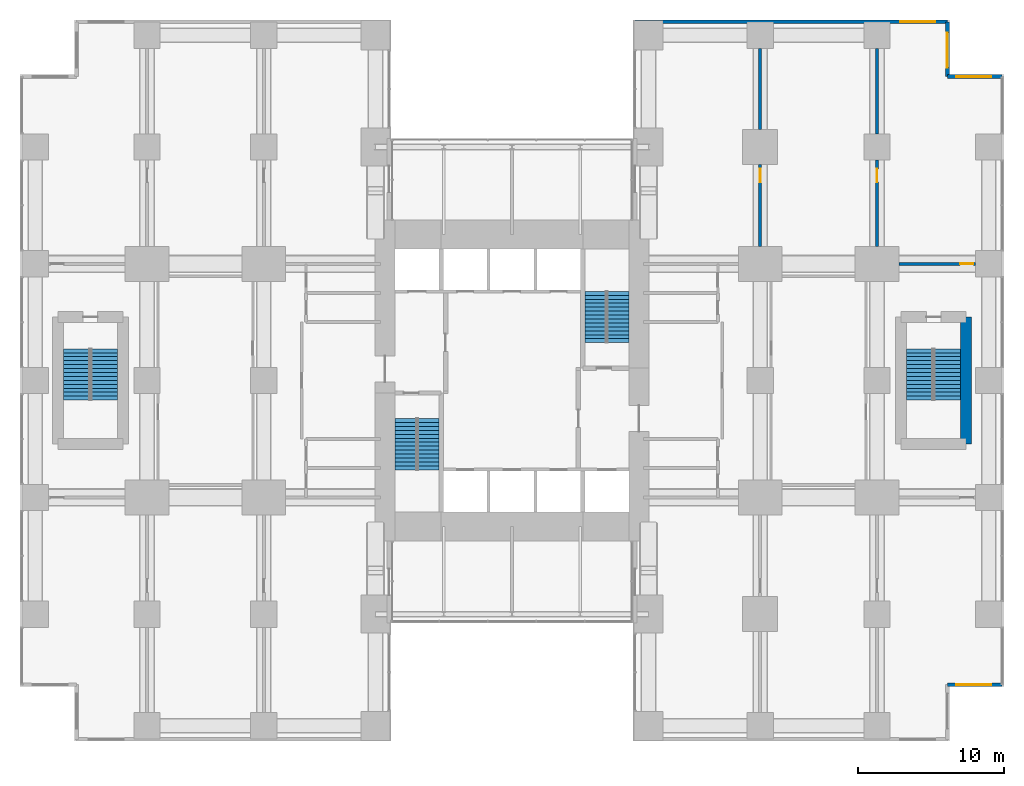
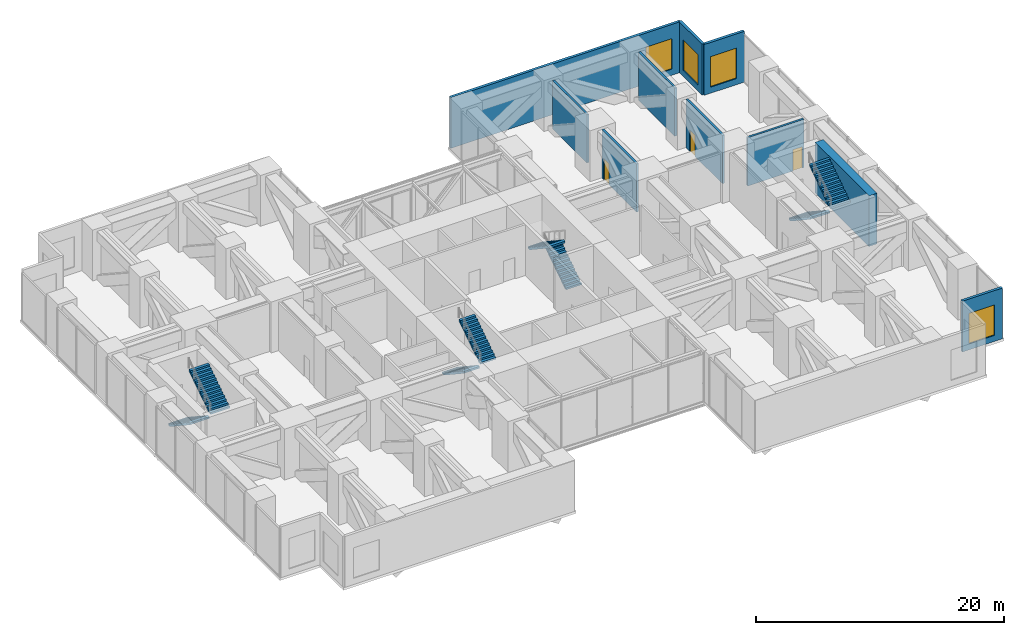
# One storey, part 18 of 19: 10 walls, 8 stair flights, 4 windows, 3 doors, 7 openings, 4 elements without a shape of their own.
"""IFC4 building model written with IfcOpenShell, lengths in metres."""

from ifc_helpers import new_model, si_unit, direction, frame, frame_2d, origin, place, context, subcontext, project, spatial, polyline, rectangle, outline, extrude, material, layer, layer_set, type_object, element, fill, aggregate, save


model = new_model("IFC4")

# Units and contexts
model_context = context("Model", 3, precision=1e-05, world=origin(), true_north=direction((0.0, 1.0)))
body_context = subcontext(model_context, "Body", "Model", "MODEL_VIEW")
ifc_project = project(units=[si_unit("LENGTHUNIT", "METRE"), si_unit("AREAUNIT", "SQUARE_METRE"), si_unit("VOLUMEUNIT", "CUBIC_METRE"), si_unit("PLANEANGLEUNIT", "RADIAN"), si_unit("MASSUNIT", "GRAM", prefix="KILO")], contexts=[model_context])

# Site, building, storey
site_placement = place(None, origin())
site = spatial("IfcSite", under=ifc_project, at=site_placement, CompositionType="ELEMENT")
building_placement = place(site_placement, origin())
building = spatial("IfcBuilding", under=site, at=building_placement, Name="Cleftline Residences", CompositionType="ELEMENT")
storey_placement = place(building_placement, frame((0.0, 0.0, 177.199951171875)))
storey = spatial("IfcBuildingStorey", under=building, at=storey_placement, Name="L46", CompositionType="ELEMENT", Elevation=177.199951171875)

# Wall, opening, window
ifc_material_1 = material(Name="Rendered reinforced concrete blockwork", Category="masonry")
ifc_layer_1 = layer(ifc_material_1, 0.25)
ifc_layer_set_1 = layer_set([ifc_layer_1], Name="EXTERNAL WALL 250")
wall_type_1 = type_object("IfcWallType", Name="EXTERNAL WALL 250", PredefinedType="SOLIDWALL", material=ifc_layer_set_1)
wall_1_placement = place(storey_placement, frame((62.824951171875, 3.175048828125, 0.0), z_axis=(0.0, 0.0, 1.0), x_axis=(1.0, 0.0, 0.0)))
wall_1 = element("IfcWall", 1, at=wall_1_placement, inside=storey, type_object=wall_type_1, Name="External wall", PredefinedType="SOLIDWALL", context=body_context, shape_type="SweptSolid", body=[
    extrude(rectangle(XDim=3.75, YDim=0.25, at=frame_2d((1.875, 0.0))), origin(), (0.0, 0.0, 1.0), 5.0),
])
opening_1_placement = place(wall_1_placement, frame((0.612548828125, 0.0, 0.60009765625)))
opening_1 = element("IfcOpeningElement", 2, at=opening_1_placement, cuts=wall_1, Name="Opening W3", PredefinedType="OPENING", context=body_context, shape_type="SweptSolid", body=[
    extrude(rectangle(XDim=2.39990234375, YDim=3.0, at=frame_2d((1.199951171875, 1.5))), frame((0.0, 0.135009765625, 0.0), z_axis=(0.0, -1.0, 0.0), x_axis=(1.0, 0.0, 0.0)), (0.0, 0.0, 1.0), 0.27001953125),
])
ifc_material_2 = material(Name="Aluminium frame, clear double glazing", Category="aluminium")
window_type = type_object("IfcWindowType", Name="WINDOW 2400X3000", PartitioningType="DOUBLE_PANEL_VERTICAL", PredefinedType="WINDOW", material=ifc_material_2)
window_1_placement = place(opening_1_placement, origin())
window_1 = element("IfcWindow", 3, at=window_1_placement, inside=storey, type_object=window_type, Name="Window", OverallHeight=3.0, OverallWidth=2.39990234375, PartitioningType="SINGLE_PANEL", PredefinedType="WINDOW", context=body_context, shape_type="SweptSolid", body=[
    extrude(rectangle(XDim=2.39990234375, YDim=3.0, at=frame_2d((1.199951171875, 1.5))), frame((0.0, 0.030029296875, 0.0), z_axis=(0.0, -1.0, 0.0), x_axis=(1.0, 0.0, 0.0)), (0.0, 0.0, 1.0), 0.06005859375),
])
fill(opening_1, window_1)

wall_2_placement = place(storey_placement, frame((66.574951171875, 44.824951171875, 0.0), z_axis=(0.0, 0.0, 1.0), x_axis=(-1.0, 0.0, 0.0)))
wall_2 = element("IfcWall", 4, at=wall_2_placement, inside=storey, type_object=wall_type_1, Name="External wall", PredefinedType="SOLIDWALL", context=body_context, shape_type="SweptSolid", body=[
    extrude(rectangle(XDim=3.75, YDim=0.25, at=frame_2d((1.875, 0.0))), origin(), (0.0, 0.0, 1.0), 5.0),
])
opening_2_placement = place(wall_2_placement, frame((0.737548828125, 0.0, 0.60009765625)))
opening_2 = element("IfcOpeningElement", 5, at=opening_2_placement, cuts=wall_2, Name="Opening W3", PredefinedType="OPENING", context=body_context, shape_type="SweptSolid", body=[
    extrude(rectangle(XDim=2.39990234375, YDim=3.0, at=frame_2d((1.199951171875, 1.5))), frame((0.0, 0.135009765625, 0.0), z_axis=(0.0, -1.0, 0.0), x_axis=(1.0, 0.0, 0.0)), (0.0, 0.0, 1.0), 0.27001953125),
])
window_2_placement = place(opening_2_placement, origin())
window_2 = element("IfcWindow", 6, at=window_2_placement, inside=storey, type_object=window_type, Name="Window", OverallHeight=3.0, OverallWidth=2.39990234375, PartitioningType="SINGLE_PANEL", PredefinedType="WINDOW", context=body_context, shape_type="SweptSolid", body=[
    extrude(rectangle(XDim=2.39990234375, YDim=3.0, at=frame_2d((1.199951171875, 1.5))), frame((0.0, 0.030029296875, 0.0), z_axis=(0.0, -1.0, 0.0), x_axis=(1.0, 0.0, 0.0)), (0.0, 0.0, 1.0), 0.06005859375),
])
fill(opening_2, window_2)

wall_3_placement = place(storey_placement, frame((62.824951171875, 44.824951171875, 0.0), z_axis=(0.0, 0.0, 1.0), x_axis=(0.0, 1.0, 0.0)))
wall_3 = element("IfcWall", 7, at=wall_3_placement, inside=storey, type_object=wall_type_1, Name="External wall", PredefinedType="SOLIDWALL", context=body_context, shape_type="SweptSolid", body=[
    extrude(rectangle(XDim=3.75, YDim=0.25, at=frame_2d((1.875, 0.0))), origin(), (0.0, 0.0, 1.0), 5.0),
])
opening_3_placement = place(wall_3_placement, frame((0.612548828125, 0.0, 0.60009765625)))
opening_3 = element("IfcOpeningElement", 8, at=opening_3_placement, cuts=wall_3, Name="Opening W3", PredefinedType="OPENING", context=body_context, shape_type="SweptSolid", body=[
    extrude(rectangle(XDim=2.39990234375, YDim=3.0, at=frame_2d((1.199951171875, 1.5))), frame((0.0, 0.135009765625, 0.0), z_axis=(0.0, -1.0, 0.0), x_axis=(1.0, 0.0, 0.0)), (0.0, 0.0, 1.0), 0.27001953125),
])
window_3_placement = place(opening_3_placement, origin())
window_3 = element("IfcWindow", 9, at=window_3_placement, inside=storey, type_object=window_type, Name="Window", OverallHeight=3.0, OverallWidth=2.39990234375, PartitioningType="SINGLE_PANEL", PredefinedType="WINDOW", context=body_context, shape_type="SweptSolid", body=[
    extrude(rectangle(XDim=2.39990234375, YDim=3.0, at=frame_2d((1.199951171875, 1.5))), frame((0.0, 0.030029296875, 0.0), z_axis=(0.0, -1.0, 0.0), x_axis=(1.0, 0.0, 0.0)), (0.0, 0.0, 1.0), 0.06005859375),
])
fill(opening_3, window_3)

wall_4_placement = place(storey_placement, frame((62.824951171875, 48.574951171875, 0.0), z_axis=(0.0, 0.0, 1.0), x_axis=(-1.0, 0.0, 0.0)))
wall_4 = element("IfcWall", 10, at=wall_4_placement, inside=storey, type_object=wall_type_1, Name="External wall", PredefinedType="SOLIDWALL", context=body_context, shape_type="SweptSolid", body=[
    extrude(rectangle(XDim=21.39990234375, YDim=0.25, at=frame_2d((10.699951171875, 0.0))), origin(), (0.0, 0.0, 1.0), 5.0),
])
opening_4_placement = place(wall_4_placement, frame((0.824951171875, 0.0, 0.60009765625)))
opening_4 = element("IfcOpeningElement", 11, at=opening_4_placement, cuts=wall_4, Name="Opening W3", PredefinedType="OPENING", context=body_context, shape_type="SweptSolid", body=[
    extrude(rectangle(XDim=2.39990234375, YDim=3.0, at=frame_2d((1.199951171875, 1.5))), frame((0.0, 0.135009765625, 0.0), z_axis=(0.0, -1.0, 0.0), x_axis=(1.0, 0.0, 0.0)), (0.0, 0.0, 1.0), 0.27001953125),
])
window_4_placement = place(opening_4_placement, origin())
window_4 = element("IfcWindow", 12, at=window_4_placement, inside=storey, type_object=window_type, Name="Window", OverallHeight=3.0, OverallWidth=2.39990234375, PartitioningType="SINGLE_PANEL", PredefinedType="WINDOW", context=body_context, shape_type="SweptSolid", body=[
    extrude(rectangle(XDim=2.39990234375, YDim=3.0, at=frame_2d((1.199951171875, 1.5))), frame((0.0, 0.030029296875, 0.0), z_axis=(0.0, -1.0, 0.0), x_axis=(1.0, 0.0, 0.0)), (0.0, 0.0, 1.0), 0.06005859375),
])
fill(opening_4, window_4)

# Wall, opening, door
ifc_material_3 = material(Name="Concrete blockwork, fire rated", Category="masonry")
ifc_layer_2 = layer(ifc_material_3, 0.199951171875)
ifc_layer_set_2 = layer_set([ifc_layer_2], Name="FIRE WALL 200")
wall_type_2 = type_object("IfcWallType", Name="FIRE WALL 200", PredefinedType="PARTITIONING", material=ifc_layer_set_2)
wall_5_placement = place(storey_placement, frame((59.5, 32.0, 0.0), z_axis=(0.0, 0.0, 1.0), x_axis=(1.0, 0.0, 0.0)))
wall_5 = element("IfcWall", 13, at=wall_5_placement, inside=storey, type_object=wall_type_2, Name="Fire separating wall", PredefinedType="PARTITIONING", context=body_context, shape_type="SweptSolid", body=[
    extrude(rectangle(XDim=5.25, YDim=0.199951171875, at=frame_2d((2.625, 0.0))), origin(), (0.0, 0.0, 1.0), 4.75),
])
opening_5_placement = place(wall_5_placement, frame((4.199951171875, 0.0, 0.0)))
opening_5 = element("IfcOpeningElement", 14, at=opening_5_placement, cuts=wall_5, Name="Opening D1F60", PredefinedType="OPENING", context=body_context, shape_type="SweptSolid", body=[
    extrude(rectangle(XDim=0.89990234375, YDim=2.10009765625, at=frame_2d((0.449951171875, 1.050048828125))), frame((0.0, 0.10986328125, 0.0), z_axis=(0.0, -1.0, 0.0), x_axis=(1.0, 0.0, 0.0)), (0.0, 0.0, 1.0), 0.219970703125),
])
ifc_material_4 = material(Name="Timber veneer on solid core", Category="wood")
door_type = type_object("IfcDoorType", Name="DOOR 900X2100 EI 60", OperationType="SINGLE_SWING_LEFT", PredefinedType="DOOR", material=ifc_material_4)
door_1_placement = place(opening_5_placement, origin())
door_1 = element("IfcDoor", 15, at=door_1_placement, inside=storey, type_object=door_type, Name="Door to fire pump room", OperationType="SINGLE_SWING_LEFT", OverallHeight=2.10009765625, OverallWidth=0.89990234375, PredefinedType="DOOR", context=body_context, shape_type="SweptSolid", body=[
    extrude(rectangle(XDim=0.89990234375, YDim=2.10009765625, at=frame_2d((0.449951171875, 1.050048828125))), frame((0.0, 0.02490234375, 0.0), z_axis=(0.0, -1.0, 0.0), x_axis=(1.0, 0.0, 0.0)), (0.0, 0.0, 1.0), 0.050048828125),
])
fill(opening_5, door_1)

wall_6_placement = place(storey_placement, frame((50.0, 33.199951171875, 0.0), z_axis=(0.0, 0.0, 1.0), x_axis=(0.0, 1.0, 0.0)))
wall_6 = element("IfcWall", 16, at=wall_6_placement, inside=storey, type_object=wall_type_2, Name="Fire separating wall", PredefinedType="PARTITIONING", context=body_context, shape_type="SweptSolid", body=[
    extrude(rectangle(XDim=5.60009765625, YDim=0.199951171875, at=frame_2d((2.800048828125, 0.0))), origin(), (0.0, 0.0, 1.0), 4.75),
])
opening_6_placement = place(wall_6_placement, frame((4.39990234375, 0.0, 0.0)))
opening_6 = element("IfcOpeningElement", 17, at=opening_6_placement, cuts=wall_6, Name="Opening D1F60", PredefinedType="OPENING", context=body_context, shape_type="SweptSolid", body=[
    extrude(rectangle(XDim=0.89990234375, YDim=2.10009765625, at=frame_2d((0.449951171875, 1.050048828125))), frame((0.0, 0.10986328125, 0.0), z_axis=(0.0, -1.0, 0.0), x_axis=(1.0, 0.0, 0.0)), (0.0, 0.0, 1.0), 0.219970703125),
])
door_2_placement = place(opening_6_placement, origin())
door_2 = element("IfcDoor", 18, at=door_2_placement, inside=storey, type_object=door_type, Name="Door to heat exchanger plant room", OperationType="SINGLE_SWING_LEFT", OverallHeight=2.10009765625, OverallWidth=0.89990234375, PredefinedType="DOOR", context=body_context, shape_type="SweptSolid", body=[
    extrude(rectangle(XDim=0.89990234375, YDim=2.10009765625, at=frame_2d((0.449951171875, 1.050048828125))), frame((0.0, 0.02490234375, 0.0), z_axis=(0.0, -1.0, 0.0), x_axis=(1.0, 0.0, 0.0)), (0.0, 0.0, 1.0), 0.050048828125),
])
fill(opening_6, door_2)

# Wall
wall_7_placement = place(storey_placement, frame((50.0, 41.199951171875, 0.0), z_axis=(0.0, 0.0, 1.0), x_axis=(0.0, 1.0, 0.0)))
element("IfcWall", 19, at=wall_7_placement, inside=storey, type_object=wall_type_2, Name="Fire separating wall", PredefinedType="PARTITIONING", context=body_context, shape_type="SweptSolid", body=[
    extrude(rectangle(XDim=5.550048828125, YDim=0.199951171875, at=frame_2d((2.77490234375, 0.0))), origin(), (0.0, 0.0, 1.0), 4.75),
])

# Wall, opening, door
wall_8_placement = place(storey_placement, frame((58.0, 33.199951171875, 0.0), z_axis=(0.0, 0.0, 1.0), x_axis=(0.0, 1.0, 0.0)))
wall_8 = element("IfcWall", 20, at=wall_8_placement, inside=storey, type_object=wall_type_2, Name="Fire separating wall", PredefinedType="PARTITIONING", context=body_context, shape_type="SweptSolid", body=[
    extrude(rectangle(XDim=5.900146484375, YDim=0.199951171875, at=frame_2d((2.9501953125, 0.0))), origin(), (0.0, 0.0, 1.0), 4.75),
])
opening_7_placement = place(wall_8_placement, frame((4.39990234375, 0.0, 0.0)))
opening_7 = element("IfcOpeningElement", 21, at=opening_7_placement, cuts=wall_8, Name="Opening D1F60", PredefinedType="OPENING", context=body_context, shape_type="SweptSolid", body=[
    extrude(rectangle(XDim=0.89990234375, YDim=2.10009765625, at=frame_2d((0.449951171875, 1.050048828125))), frame((0.0, 0.10986328125, 0.0), z_axis=(0.0, -1.0, 0.0), x_axis=(1.0, 0.0, 0.0)), (0.0, 0.0, 1.0), 0.219970703125),
])
door_3_placement = place(opening_7_placement, origin())
door_3 = element("IfcDoor", 22, at=door_3_placement, inside=storey, type_object=door_type, Name="Door to sprinkler tank room", OperationType="SINGLE_SWING_LEFT", OverallHeight=2.10009765625, OverallWidth=0.89990234375, PredefinedType="DOOR", context=body_context, shape_type="SweptSolid", body=[
    extrude(rectangle(XDim=0.89990234375, YDim=2.10009765625, at=frame_2d((0.449951171875, 1.050048828125))), frame((0.0, 0.02490234375, 0.0), z_axis=(0.0, -1.0, 0.0), x_axis=(1.0, 0.0, 0.0)), (0.0, 0.0, 1.0), 0.050048828125),
])
fill(opening_7, door_3)

# Walls
wall_9_placement = place(storey_placement, frame((58.0, 40.89990234375, 0.0), z_axis=(0.0, 0.0, 1.0), x_axis=(0.0, 1.0, 0.0)))
element("IfcWall", 23, at=wall_9_placement, inside=storey, type_object=wall_type_2, Name="Fire separating wall", PredefinedType="PARTITIONING", context=body_context, shape_type="SweptSolid", body=[
    extrude(rectangle(XDim=5.85009765625, YDim=0.199951171875, at=frame_2d((2.925048828125, 0.0))), origin(), (0.0, 0.0, 1.0), 4.75),
])
ifc_material_5 = material(Name="Concrete B70", Category="concrete")
ifc_layer_3 = layer(ifc_material_5, 0.75)
ifc_layer_set_3 = layer_set([ifc_layer_3], Name="SHEAR WALL 750")
wall_type_3 = type_object("IfcWallType", Name="SHEAR WALL 750", PredefinedType="SHEAR", material=ifc_layer_set_3)
wall_10_placement = place(storey_placement, frame((64.10009765625, 19.64990234375, 0.0), z_axis=(0.0, 0.0, 1.0), x_axis=(0.0, 1.0, 0.0)))
element("IfcWall", 24, at=wall_10_placement, inside=storey, type_object=wall_type_3, Name="Wing shear wall", PredefinedType="SHEAR", context=body_context, shape_type="SweptSolid", body=[
    extrude(rectangle(XDim=8.7001953125, YDim=0.75, at=frame_2d((4.35009765625, 0.0))), origin(), (0.0, 0.0, 1.0), 5.0),
])

# Stair, stair flights
ifc_material_6 = material(Name="Concrete B45, stone treads", Category="masonry")
stair_type_1 = type_object("IfcStairType", Name="STAIR A 1450 WIDE 179 RISER", PredefinedType="HALF_TURN_STAIR", material=ifc_material_6)
stair_1_placement = place(storey_placement, origin())
stair_1 = element("IfcStair", 25, at=stair_1_placement, inside=storey, type_object=stair_type_1, Name="Stair A L46", PredefinedType="HALF_TURN_STAIR")
ifc_material_7 = material(Name="Concrete B45", Category="concrete")
stair_flight_type_1 = type_object("IfcStairFlightType", Name="STAIR A FLIGHT 1450X179", PredefinedType="STRAIGHT", material=ifc_material_7)
stair_flight_1_placement = place(storey_placement, frame((25.72509765625, 21.39990234375, 0.0), z_axis=(0.0, 0.0, 1.0), x_axis=(0.0, -1.0, 0.0)))
stair_flight_1 = element("IfcStairFlight", 26, at=stair_flight_1_placement, type_object=stair_flight_type_1, Name="ST-A flight 1", NumberOfRisers=14, NumberOfTreads=13, PredefinedType="STRAIGHT", RiserHeight=0.178571429, TreadLength=0.27, context=body_context, shape_type="SweptSolid", body=[
    extrude(outline(polyline([(0.0, 0.0), (0.0, 0.013671875), (0.0, 0.027587890625), (0.0, 0.041259765625), (0.0, 0.054931640625), (0.0, 0.068603515625), (0.0, 0.08251953125), (0.0, 0.09619140625), (0.0, 0.10986328125), (0.0, 0.12353515625), (0.0, 0.137451171875), (0.0, 0.151123046875), (0.0, 0.164794921875), (0.0, 0.178466796875), (0.27001953125, 0.178466796875), (0.27001953125, 0.357177734375), (0.5400390625, 0.357177734375), (0.5400390625, 0.53564453125), (0.81005859375, 0.53564453125), (0.81005859375, 0.71435546875), (1.080078125, 0.71435546875), (1.080078125, 0.892822265625), (1.35009765625, 0.892822265625), (1.35009765625, 1.071533203125), (1.6201171875, 1.071533203125), (1.6201171875, 1.25), (1.889892578125, 1.25), (1.889892578125, 1.428466796875), (2.159912109375, 1.428466796875), (2.159912109375, 1.607177734375), (2.429931640625, 1.607177734375), (2.429931640625, 1.78564453125), (2.699951171875, 1.78564453125), (2.699951171875, 1.96435546875), (2.969970703125, 1.96435546875), (2.969970703125, 2.142822265625), (3.239990234375, 2.142822265625), (3.239990234375, 2.321533203125), (3.510009765625, 2.321533203125), (3.510009765625, 2.5), (3.510009765625, 2.472412109375), (3.510009765625, 2.44482421875), (3.510009765625, 2.417236328125), (3.510009765625, 2.3896484375), (3.510009765625, 2.3623046875), (3.510009765625, 2.334716796875), (3.510009765625, 2.30712890625), (3.510009765625, 2.279541015625), (3.510009765625, 2.251953125), (3.510009765625, 2.224365234375), (3.510009765625, 2.19677734375), (3.510009765625, 2.169189453125), (3.510009765625, 2.1416015625), (0.271728515625, 0.0), (0.0, 0.0)])), frame((0.0, 0.72509765625, 0.0), z_axis=(0.0, -1.0, 0.0), x_axis=(1.0, 0.0, 0.0)), (0.0, 0.0, 1.0), 1.449951171875),
])
stair_flight_2_placement = place(storey_placement, frame((27.27490234375, 17.889892578125, 2.5), z_axis=(0.0, 0.0, 1.0), x_axis=(0.0, 1.0, 0.0)))
stair_flight_2 = element("IfcStairFlight", 27, at=stair_flight_2_placement, type_object=stair_flight_type_1, Name="ST-A flight 2", NumberOfRisers=14, NumberOfTreads=13, PredefinedType="STRAIGHT", RiserHeight=0.178571429, TreadLength=0.27, context=body_context, shape_type="SweptSolid", body=[
    extrude(outline(polyline([(0.0, 0.0), (0.0, 0.013671875), (0.0, 0.027587890625), (0.0, 0.041259765625), (0.0, 0.054931640625), (0.0, 0.068603515625), (0.0, 0.08251953125), (0.0, 0.09619140625), (0.0, 0.10986328125), (0.0, 0.12353515625), (0.0, 0.137451171875), (0.0, 0.151123046875), (0.0, 0.164794921875), (0.0, 0.178466796875), (0.27001953125, 0.178466796875), (0.27001953125, 0.357177734375), (0.5400390625, 0.357177734375), (0.5400390625, 0.53564453125), (0.81005859375, 0.53564453125), (0.81005859375, 0.71435546875), (1.080078125, 0.71435546875), (1.080078125, 0.892822265625), (1.35009765625, 0.892822265625), (1.35009765625, 1.071533203125), (1.6201171875, 1.071533203125), (1.6201171875, 1.25), (1.889892578125, 1.25), (1.889892578125, 1.428466796875), (2.159912109375, 1.428466796875), (2.159912109375, 1.607177734375), (2.429931640625, 1.607177734375), (2.429931640625, 1.78564453125), (2.699951171875, 1.78564453125), (2.699951171875, 1.96435546875), (2.969970703125, 1.96435546875), (2.969970703125, 2.142822265625), (3.239990234375, 2.142822265625), (3.239990234375, 2.321533203125), (3.510009765625, 2.321533203125), (3.510009765625, 2.5), (3.510009765625, 2.472412109375), (3.510009765625, 2.44482421875), (3.510009765625, 2.417236328125), (3.510009765625, 2.3896484375), (3.510009765625, 2.3623046875), (3.510009765625, 2.334716796875), (3.510009765625, 2.30712890625), (3.510009765625, 2.279541015625), (3.510009765625, 2.251953125), (3.510009765625, 2.224365234375), (3.510009765625, 2.19677734375), (3.510009765625, 2.169189453125), (3.510009765625, 2.1416015625), (0.271728515625, 0.0), (0.0, 0.0)])), frame((0.0, 0.72509765625, 0.0), z_axis=(0.0, -1.0, 0.0), x_axis=(1.0, 0.0, 0.0)), (0.0, 0.0, 1.0), 1.449951171875),
])
aggregate(stair_1, [stair_flight_1, stair_flight_2])

ifc_material_8 = material(Name="Concrete B45, stone treads", Category="masonry")
stair_type_2 = type_object("IfcStairType", Name="STAIR B 1450 WIDE 179 RISER", PredefinedType="HALF_TURN_STAIR", material=ifc_material_8)
stair_2_placement = place(storey_placement, origin())
stair_2 = element("IfcStair", 28, at=stair_2_placement, inside=storey, type_object=stair_type_2, Name="Stair B L46", PredefinedType="HALF_TURN_STAIR")
ifc_material_9 = material(Name="Concrete B45", Category="concrete")
stair_flight_type_2 = type_object("IfcStairFlightType", Name="STAIR B FLIGHT 1450X179", PredefinedType="STRAIGHT", material=ifc_material_9)
stair_flight_3_placement = place(storey_placement, frame((40.27490234375, 26.60009765625, 0.0), z_axis=(0.0, 0.0, 1.0), x_axis=(0.0, 1.0, 0.0)))
stair_flight_3 = element("IfcStairFlight", 29, at=stair_flight_3_placement, type_object=stair_flight_type_2, Name="ST-B flight 1", NumberOfRisers=14, NumberOfTreads=13, PredefinedType="STRAIGHT", RiserHeight=0.178571429, TreadLength=0.27, context=body_context, shape_type="SweptSolid", body=[
    extrude(outline(polyline([(0.0, 0.0), (0.0, 0.013671875), (0.0, 0.027587890625), (0.0, 0.041259765625), (0.0, 0.054931640625), (0.0, 0.068603515625), (0.0, 0.08251953125), (0.0, 0.09619140625), (0.0, 0.10986328125), (0.0, 0.12353515625), (0.0, 0.137451171875), (0.0, 0.151123046875), (0.0, 0.164794921875), (0.0, 0.178466796875), (0.27001953125, 0.178466796875), (0.27001953125, 0.357177734375), (0.5400390625, 0.357177734375), (0.5400390625, 0.53564453125), (0.81005859375, 0.53564453125), (0.81005859375, 0.71435546875), (1.080078125, 0.71435546875), (1.080078125, 0.892822265625), (1.35009765625, 0.892822265625), (1.35009765625, 1.071533203125), (1.6201171875, 1.071533203125), (1.6201171875, 1.25), (1.889892578125, 1.25), (1.889892578125, 1.428466796875), (2.159912109375, 1.428466796875), (2.159912109375, 1.607177734375), (2.429931640625, 1.607177734375), (2.429931640625, 1.78564453125), (2.699951171875, 1.78564453125), (2.699951171875, 1.96435546875), (2.969970703125, 1.96435546875), (2.969970703125, 2.142822265625), (3.239990234375, 2.142822265625), (3.239990234375, 2.321533203125), (3.510009765625, 2.321533203125), (3.510009765625, 2.5), (3.510009765625, 2.472412109375), (3.510009765625, 2.44482421875), (3.510009765625, 2.417236328125), (3.510009765625, 2.3896484375), (3.510009765625, 2.3623046875), (3.510009765625, 2.334716796875), (3.510009765625, 2.30712890625), (3.510009765625, 2.279541015625), (3.510009765625, 2.251953125), (3.510009765625, 2.224365234375), (3.510009765625, 2.19677734375), (3.510009765625, 2.169189453125), (3.510009765625, 2.1416015625), (0.271728515625, 0.0), (0.0, 0.0)])), frame((0.0, 0.72509765625, 0.0), z_axis=(0.0, -1.0, 0.0), x_axis=(1.0, 0.0, 0.0)), (0.0, 0.0, 1.0), 1.449951171875),
])
stair_flight_4_placement = place(storey_placement, frame((38.72509765625, 30.110107421875, 2.5), z_axis=(0.0, 0.0, 1.0), x_axis=(0.0, -1.0, 0.0)))
stair_flight_4 = element("IfcStairFlight", 30, at=stair_flight_4_placement, type_object=stair_flight_type_2, Name="ST-B flight 2", NumberOfRisers=14, NumberOfTreads=13, PredefinedType="STRAIGHT", RiserHeight=0.178571429, TreadLength=0.27, context=body_context, shape_type="SweptSolid", body=[
    extrude(outline(polyline([(0.0, 0.0), (0.0, 0.013671875), (0.0, 0.027587890625), (0.0, 0.041259765625), (0.0, 0.054931640625), (0.0, 0.068603515625), (0.0, 0.08251953125), (0.0, 0.09619140625), (0.0, 0.10986328125), (0.0, 0.12353515625), (0.0, 0.137451171875), (0.0, 0.151123046875), (0.0, 0.164794921875), (0.0, 0.178466796875), (0.27001953125, 0.178466796875), (0.27001953125, 0.357177734375), (0.5400390625, 0.357177734375), (0.5400390625, 0.53564453125), (0.81005859375, 0.53564453125), (0.81005859375, 0.71435546875), (1.080078125, 0.71435546875), (1.080078125, 0.892822265625), (1.35009765625, 0.892822265625), (1.35009765625, 1.071533203125), (1.6201171875, 1.071533203125), (1.6201171875, 1.25), (1.889892578125, 1.25), (1.889892578125, 1.428466796875), (2.159912109375, 1.428466796875), (2.159912109375, 1.607177734375), (2.429931640625, 1.607177734375), (2.429931640625, 1.78564453125), (2.699951171875, 1.78564453125), (2.699951171875, 1.96435546875), (2.969970703125, 1.96435546875), (2.969970703125, 2.142822265625), (3.239990234375, 2.142822265625), (3.239990234375, 2.321533203125), (3.510009765625, 2.321533203125), (3.510009765625, 2.5), (3.510009765625, 2.472412109375), (3.510009765625, 2.44482421875), (3.510009765625, 2.417236328125), (3.510009765625, 2.3896484375), (3.510009765625, 2.3623046875), (3.510009765625, 2.334716796875), (3.510009765625, 2.30712890625), (3.510009765625, 2.279541015625), (3.510009765625, 2.251953125), (3.510009765625, 2.224365234375), (3.510009765625, 2.19677734375), (3.510009765625, 2.169189453125), (3.510009765625, 2.1416015625), (0.271728515625, 0.0), (0.0, 0.0)])), frame((0.0, 0.72509765625, 0.0), z_axis=(0.0, -1.0, 0.0), x_axis=(1.0, 0.0, 0.0)), (0.0, 0.0, 1.0), 1.449951171875),
])
aggregate(stair_2, [stair_flight_3, stair_flight_4])

ifc_material_10 = material(Name="Concrete B45, stone treads", Category="masonry")
stair_type_3 = type_object("IfcStairType", Name="STAIR E 1800 WIDE 179 RISER", PredefinedType="HALF_TURN_STAIR", material=ifc_material_10)
stair_3_placement = place(storey_placement, origin())
stair_3 = element("IfcStair", 31, at=stair_3_placement, inside=storey, type_object=stair_type_3, Name="Stair E L46", PredefinedType="HALF_TURN_STAIR")
ifc_material_11 = material(Name="Concrete B45", Category="concrete")
stair_flight_type_3 = type_object("IfcStairFlightType", Name="STAIR E FLIGHT 1800X179", PredefinedType="STRAIGHT", material=ifc_material_11)
stair_flight_5_placement = place(storey_placement, frame((60.925048828125, 26.175048828125, 0.0), z_axis=(0.0, 0.0, 1.0), x_axis=(0.0, -1.0, 0.0)))
stair_flight_5 = element("IfcStairFlight", 32, at=stair_flight_5_placement, type_object=stair_flight_type_3, Name="ST-E flight 1", NumberOfRisers=14, NumberOfTreads=13, PredefinedType="STRAIGHT", RiserHeight=0.178571429, TreadLength=0.27, context=body_context, shape_type="SweptSolid", body=[
    extrude(outline(polyline([(0.0, 0.0), (0.0, 0.013671875), (0.0, 0.027587890625), (0.0, 0.041259765625), (0.0, 0.054931640625), (0.0, 0.068603515625), (0.0, 0.08251953125), (0.0, 0.09619140625), (0.0, 0.10986328125), (0.0, 0.12353515625), (0.0, 0.137451171875), (0.0, 0.151123046875), (0.0, 0.164794921875), (0.0, 0.178466796875), (0.27001953125, 0.178466796875), (0.27001953125, 0.357177734375), (0.5400390625, 0.357177734375), (0.5400390625, 0.53564453125), (0.81005859375, 0.53564453125), (0.81005859375, 0.71435546875), (1.080078125, 0.71435546875), (1.080078125, 0.892822265625), (1.35009765625, 0.892822265625), (1.35009765625, 1.071533203125), (1.6201171875, 1.071533203125), (1.6201171875, 1.25), (1.889892578125, 1.25), (1.889892578125, 1.428466796875), (2.159912109375, 1.428466796875), (2.159912109375, 1.607177734375), (2.429931640625, 1.607177734375), (2.429931640625, 1.78564453125), (2.699951171875, 1.78564453125), (2.699951171875, 1.96435546875), (2.969970703125, 1.96435546875), (2.969970703125, 2.142822265625), (3.239990234375, 2.142822265625), (3.239990234375, 2.321533203125), (3.510009765625, 2.321533203125), (3.510009765625, 2.5), (3.510009765625, 2.472412109375), (3.510009765625, 2.44482421875), (3.510009765625, 2.417236328125), (3.510009765625, 2.3896484375), (3.510009765625, 2.3623046875), (3.510009765625, 2.334716796875), (3.510009765625, 2.30712890625), (3.510009765625, 2.279541015625), (3.510009765625, 2.251953125), (3.510009765625, 2.224365234375), (3.510009765625, 2.19677734375), (3.510009765625, 2.169189453125), (3.510009765625, 2.1416015625), (0.271728515625, 0.0), (0.0, 0.0)])), frame((0.0, 0.89990234375, 0.0), z_axis=(0.0, -1.0, 0.0), x_axis=(1.0, 0.0, 0.0)), (0.0, 0.0, 1.0), 1.800048828125),
])
stair_flight_6_placement = place(storey_placement, frame((62.824951171875, 22.6650390625, 2.5), z_axis=(0.0, 0.0, 1.0), x_axis=(0.0, 1.0, 0.0)))
stair_flight_6 = element("IfcStairFlight", 33, at=stair_flight_6_placement, type_object=stair_flight_type_3, Name="ST-E flight 2", NumberOfRisers=14, NumberOfTreads=13, PredefinedType="STRAIGHT", RiserHeight=0.178571429, TreadLength=0.27, context=body_context, shape_type="SweptSolid", body=[
    extrude(outline(polyline([(0.0, 0.0), (0.0, 0.013671875), (0.0, 0.027587890625), (0.0, 0.041259765625), (0.0, 0.054931640625), (0.0, 0.068603515625), (0.0, 0.08251953125), (0.0, 0.09619140625), (0.0, 0.10986328125), (0.0, 0.12353515625), (0.0, 0.137451171875), (0.0, 0.151123046875), (0.0, 0.164794921875), (0.0, 0.178466796875), (0.27001953125, 0.178466796875), (0.27001953125, 0.357177734375), (0.5400390625, 0.357177734375), (0.5400390625, 0.53564453125), (0.81005859375, 0.53564453125), (0.81005859375, 0.71435546875), (1.080078125, 0.71435546875), (1.080078125, 0.892822265625), (1.35009765625, 0.892822265625), (1.35009765625, 1.071533203125), (1.6201171875, 1.071533203125), (1.6201171875, 1.25), (1.889892578125, 1.25), (1.889892578125, 1.428466796875), (2.159912109375, 1.428466796875), (2.159912109375, 1.607177734375), (2.429931640625, 1.607177734375), (2.429931640625, 1.78564453125), (2.699951171875, 1.78564453125), (2.699951171875, 1.96435546875), (2.969970703125, 1.96435546875), (2.969970703125, 2.142822265625), (3.239990234375, 2.142822265625), (3.239990234375, 2.321533203125), (3.510009765625, 2.321533203125), (3.510009765625, 2.5), (3.510009765625, 2.472412109375), (3.510009765625, 2.44482421875), (3.510009765625, 2.417236328125), (3.510009765625, 2.3896484375), (3.510009765625, 2.3623046875), (3.510009765625, 2.334716796875), (3.510009765625, 2.30712890625), (3.510009765625, 2.279541015625), (3.510009765625, 2.251953125), (3.510009765625, 2.224365234375), (3.510009765625, 2.19677734375), (3.510009765625, 2.169189453125), (3.510009765625, 2.1416015625), (0.271728515625, 0.0), (0.0, 0.0)])), frame((0.0, 0.89990234375, 0.0), z_axis=(0.0, -1.0, 0.0), x_axis=(1.0, 0.0, 0.0)), (0.0, 0.0, 1.0), 1.800048828125),
])
aggregate(stair_3, [stair_flight_5, stair_flight_6])

ifc_material_12 = material(Name="Concrete B45, stone treads", Category="masonry")
stair_type_4 = type_object("IfcStairType", Name="STAIR W 1800 WIDE 179 RISER", PredefinedType="HALF_TURN_STAIR", material=ifc_material_12)
stair_4_placement = place(storey_placement, origin())
stair_4 = element("IfcStair", 34, at=stair_4_placement, inside=storey, type_object=stair_type_4, Name="Stair W L46", PredefinedType="HALF_TURN_STAIR")
ifc_material_13 = material(Name="Concrete B45", Category="concrete")
stair_flight_type_4 = type_object("IfcStairFlightType", Name="STAIR W FLIGHT 1800X179", PredefinedType="STRAIGHT", material=ifc_material_13)
stair_flight_7_placement = place(storey_placement, frame((3.175048828125, 26.175048828125, 0.0), z_axis=(0.0, 0.0, 1.0), x_axis=(0.0, -1.0, 0.0)))
stair_flight_7 = element("IfcStairFlight", 35, at=stair_flight_7_placement, type_object=stair_flight_type_4, Name="ST-W flight 1", NumberOfRisers=14, NumberOfTreads=13, PredefinedType="STRAIGHT", RiserHeight=0.178571429, TreadLength=0.27, context=body_context, shape_type="SweptSolid", body=[
    extrude(outline(polyline([(0.0, 0.0), (0.0, 0.013671875), (0.0, 0.027587890625), (0.0, 0.041259765625), (0.0, 0.054931640625), (0.0, 0.068603515625), (0.0, 0.08251953125), (0.0, 0.09619140625), (0.0, 0.10986328125), (0.0, 0.12353515625), (0.0, 0.137451171875), (0.0, 0.151123046875), (0.0, 0.164794921875), (0.0, 0.178466796875), (0.27001953125, 0.178466796875), (0.27001953125, 0.357177734375), (0.5400390625, 0.357177734375), (0.5400390625, 0.53564453125), (0.81005859375, 0.53564453125), (0.81005859375, 0.71435546875), (1.080078125, 0.71435546875), (1.080078125, 0.892822265625), (1.35009765625, 0.892822265625), (1.35009765625, 1.071533203125), (1.6201171875, 1.071533203125), (1.6201171875, 1.25), (1.889892578125, 1.25), (1.889892578125, 1.428466796875), (2.159912109375, 1.428466796875), (2.159912109375, 1.607177734375), (2.429931640625, 1.607177734375), (2.429931640625, 1.78564453125), (2.699951171875, 1.78564453125), (2.699951171875, 1.96435546875), (2.969970703125, 1.96435546875), (2.969970703125, 2.142822265625), (3.239990234375, 2.142822265625), (3.239990234375, 2.321533203125), (3.510009765625, 2.321533203125), (3.510009765625, 2.5), (3.510009765625, 2.472412109375), (3.510009765625, 2.44482421875), (3.510009765625, 2.417236328125), (3.510009765625, 2.3896484375), (3.510009765625, 2.3623046875), (3.510009765625, 2.334716796875), (3.510009765625, 2.30712890625), (3.510009765625, 2.279541015625), (3.510009765625, 2.251953125), (3.510009765625, 2.224365234375), (3.510009765625, 2.19677734375), (3.510009765625, 2.169189453125), (3.510009765625, 2.1416015625), (0.271728515625, 0.0), (0.0, 0.0)])), frame((0.0, 0.89990234375, 0.0), z_axis=(0.0, -1.0, 0.0), x_axis=(1.0, 0.0, 0.0)), (0.0, 0.0, 1.0), 1.800048828125),
])
stair_flight_8_placement = place(storey_placement, frame((5.074951171875, 22.6650390625, 2.5), z_axis=(0.0, 0.0, 1.0), x_axis=(0.0, 1.0, 0.0)))
stair_flight_8 = element("IfcStairFlight", 36, at=stair_flight_8_placement, type_object=stair_flight_type_4, Name="ST-W flight 2", NumberOfRisers=14, NumberOfTreads=13, PredefinedType="STRAIGHT", RiserHeight=0.178571429, TreadLength=0.27, context=body_context, shape_type="SweptSolid", body=[
    extrude(outline(polyline([(0.0, 0.0), (0.0, 0.013671875), (0.0, 0.027587890625), (0.0, 0.041259765625), (0.0, 0.054931640625), (0.0, 0.068603515625), (0.0, 0.08251953125), (0.0, 0.09619140625), (0.0, 0.10986328125), (0.0, 0.12353515625), (0.0, 0.137451171875), (0.0, 0.151123046875), (0.0, 0.164794921875), (0.0, 0.178466796875), (0.27001953125, 0.178466796875), (0.27001953125, 0.357177734375), (0.5400390625, 0.357177734375), (0.5400390625, 0.53564453125), (0.81005859375, 0.53564453125), (0.81005859375, 0.71435546875), (1.080078125, 0.71435546875), (1.080078125, 0.892822265625), (1.35009765625, 0.892822265625), (1.35009765625, 1.071533203125), (1.6201171875, 1.071533203125), (1.6201171875, 1.25), (1.889892578125, 1.25), (1.889892578125, 1.428466796875), (2.159912109375, 1.428466796875), (2.159912109375, 1.607177734375), (2.429931640625, 1.607177734375), (2.429931640625, 1.78564453125), (2.699951171875, 1.78564453125), (2.699951171875, 1.96435546875), (2.969970703125, 1.96435546875), (2.969970703125, 2.142822265625), (3.239990234375, 2.142822265625), (3.239990234375, 2.321533203125), (3.510009765625, 2.321533203125), (3.510009765625, 2.5), (3.510009765625, 2.472412109375), (3.510009765625, 2.44482421875), (3.510009765625, 2.417236328125), (3.510009765625, 2.3896484375), (3.510009765625, 2.3623046875), (3.510009765625, 2.334716796875), (3.510009765625, 2.30712890625), (3.510009765625, 2.279541015625), (3.510009765625, 2.251953125), (3.510009765625, 2.224365234375), (3.510009765625, 2.19677734375), (3.510009765625, 2.169189453125), (3.510009765625, 2.1416015625), (0.271728515625, 0.0), (0.0, 0.0)])), frame((0.0, 0.89990234375, 0.0), z_axis=(0.0, -1.0, 0.0), x_axis=(1.0, 0.0, 0.0)), (0.0, 0.0, 1.0), 1.800048828125),
])
aggregate(stair_4, [stair_flight_7, stair_flight_8])

save(model, "model.ifc")
